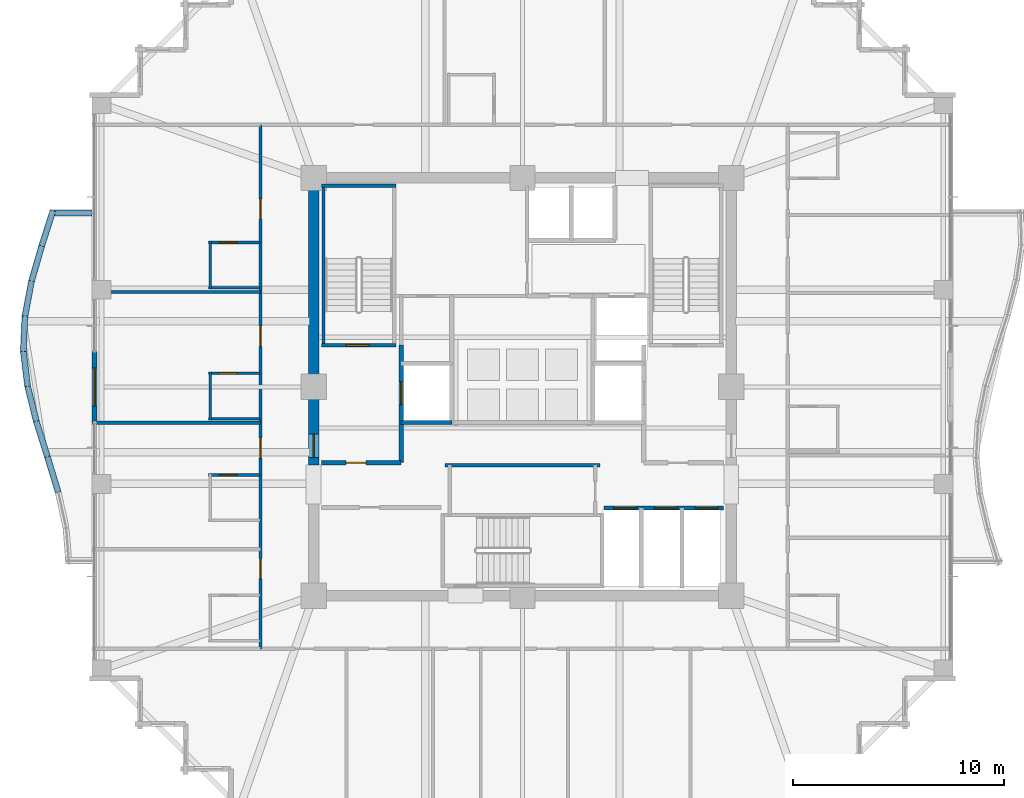
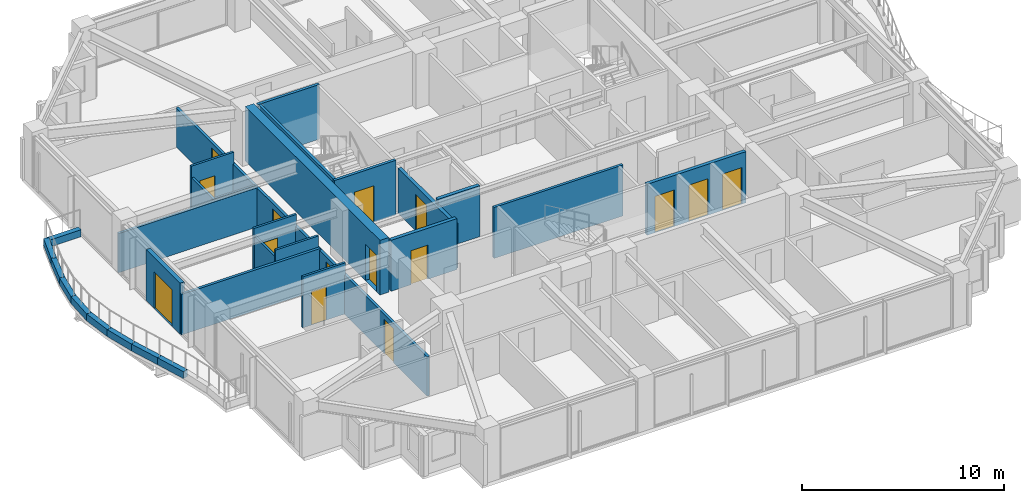
# One storey, part 29 of 34: 29 walls, 15 doors, 15 openings.
"""IFC4 building model written with IfcOpenShell, lengths in metres."""

from ifc_helpers import new_model, si_unit, direction, frame, frame_2d, origin, place, context, subcontext, project, spatial, rectangle, extrude, material, layer, layer_set, type_object, element, fill, save


model = new_model("IFC4")

# Units and contexts
model_context = context("Model", 3, precision=1e-05, world=origin(), true_north=direction((0.0, 1.0)))
body_context = subcontext(model_context, "Body", "Model", "MODEL_VIEW")
ifc_project = project(units=[si_unit("LENGTHUNIT", "METRE"), si_unit("AREAUNIT", "SQUARE_METRE"), si_unit("VOLUMEUNIT", "CUBIC_METRE"), si_unit("PLANEANGLEUNIT", "RADIAN"), si_unit("MASSUNIT", "GRAM", prefix="KILO")], contexts=[model_context])

# Site, building, storey
site_placement = place(None, origin())
site = spatial("IfcSite", under=ifc_project, at=site_placement, CompositionType="ELEMENT")
building_placement = place(site_placement, origin())
building = spatial("IfcBuilding", under=site, at=building_placement, Name="Kolvaren Belvedere", CompositionType="ELEMENT")
storey_placement = place(building_placement, frame((0.0, 0.0, 189.89990234375)))
storey = spatial("IfcBuildingStorey", under=building, at=storey_placement, Name="L55", CompositionType="ELEMENT", Elevation=189.89990234375)

# Wall, opening, door
ifc_material_1 = material(Name="Concrete C50/60", Category="concrete")
ifc_layer_1 = layer(ifc_material_1, 0.5)
ifc_layer_set_1 = layer_set([ifc_layer_1], Name="Concrete C50/60")
wall_type_1 = type_object("IfcWallType", Name="CW-CORE-500", PredefinedType="SHEAR", material=ifc_layer_set_1)
wall_1_placement = place(storey_placement, frame((-9.89990234375, -3.699951171875, 0.0), z_axis=(0.0, 0.0, 1.0), x_axis=(0.0, 1.0, 0.0)))
wall_1 = element("IfcWall", 1, at=wall_1_placement, inside=storey, type_object=wall_type_1, Name="L55 West Core Shear Wall 2", PredefinedType="SHEAR", context=body_context, shape_type="SweptSolid", body=[
    extrude(rectangle(XDim=13.349853515625, YDim=0.5, at=frame_2d((6.6748046875, 0.0))), origin(), (0.0, 0.0, 1.0), 3.300048828125),
])
opening_1_placement = place(wall_1_placement, frame((0.35009765625, 0.0, 0.0)))
opening_1 = element("IfcOpeningElement", 2, at=opening_1_placement, cuts=wall_1, Name="Opening D-FD90", PredefinedType="OPENING", context=body_context, shape_type="SweptSolid", body=[
    extrude(rectangle(XDim=1.10009765625, YDim=2.199951171875, at=frame_2d((0.550048828125, 1.10009765625))), frame((0.0, 0.260009765625, 0.0), z_axis=(0.0, -1.0, 0.0), x_axis=(1.0, 0.0, 0.0)), (0.0, 0.0, 1.0), 0.52001953125),
])
ifc_material_2 = material(Name="Painted hollow stainless steel", Category="steel")
door_type_1 = type_object("IfcDoorType", Name="DR-FD90-1100", OperationType="NOTDEFINED", PredefinedType="DOOR", material=ifc_material_2)
door_1_placement = place(opening_1_placement, origin())
door_1 = element("IfcDoor", 3, at=door_1_placement, inside=storey, type_object=door_type_1, Name="L55 West Firefighting Lobby Fire Door", OperationType="SINGLE_SWING_LEFT", OverallHeight=2.199951171875, OverallWidth=1.10009765625, PredefinedType="DOOR", context=body_context, shape_type="SweptSolid", body=[
    extrude(rectangle(XDim=1.10009765625, YDim=2.199951171875, at=frame_2d((0.550048828125, 1.10009765625))), frame((0.0, 0.02490234375, 0.0), z_axis=(0.0, -1.0, 0.0), x_axis=(1.0, 0.0, 0.0)), (0.0, 0.0, 1.0), 0.050048828125),
])
fill(opening_1, door_1)

ifc_material_3 = material(Name="Concrete C50/60", Category="concrete")
ifc_layer_2 = layer(ifc_material_3, 0.159912109375)
ifc_layer_set_2 = layer_set([ifc_layer_2], Name="Concrete C50/60")
wall_type_2 = type_object("IfcWallType", Name="CW-STAIR-160", PredefinedType="SHEAR", material=ifc_layer_set_2)
wall_2_placement = place(storey_placement, frame((-9.52001953125, 1.969970703125, 0.0), z_axis=(0.0, 0.0, 1.0), x_axis=(1.0, 0.0, 0.0)))
wall_2 = element("IfcWall", 4, at=wall_2_placement, inside=storey, type_object=wall_type_2, Name="L55 Stair ST-1 South Shear Wall", PredefinedType="SHEAR", context=body_context, shape_type="SweptSolid", body=[
    extrude(rectangle(XDim=3.52001953125, YDim=0.159912109375, at=frame_2d((1.760009765625, 0.0))), origin(), (0.0, 0.0, 1.0), 3.300048828125),
])
opening_2_placement = place(wall_2_placement, frame((1.14990234375, 0.0, 0.0)))
opening_2 = element("IfcOpeningElement", 5, at=opening_2_placement, cuts=wall_2, Name="Opening D-FD90", PredefinedType="OPENING", context=body_context, shape_type="SweptSolid", body=[
    extrude(rectangle(XDim=1.10009765625, YDim=2.199951171875, at=frame_2d((0.550048828125, 1.10009765625))), frame((0.0, 0.08984375, 0.0), z_axis=(0.0, -1.0, 0.0), x_axis=(1.0, 0.0, 0.0)), (0.0, 0.0, 1.0), 0.179931640625),
])
door_2_placement = place(opening_2_placement, origin())
door_2 = element("IfcDoor", 6, at=door_2_placement, inside=storey, type_object=door_type_1, Name="L55 Stair ST-1 Fire Door", OperationType="SINGLE_SWING_LEFT", OverallHeight=2.199951171875, OverallWidth=1.10009765625, PredefinedType="DOOR", context=body_context, shape_type="SweptSolid", body=[
    extrude(rectangle(XDim=1.10009765625, YDim=2.199951171875, at=frame_2d((0.550048828125, 1.10009765625))), frame((0.0, 0.02490234375, 0.0), z_axis=(0.0, -1.0, 0.0), x_axis=(1.0, 0.0, 0.0)), (0.0, 0.0, 1.0), 0.050048828125),
])
fill(opening_2, door_2)

# Walls
wall_3_placement = place(storey_placement, frame((-9.52001953125, 9.530029296875, 0.0), z_axis=(0.0, 0.0, 1.0), x_axis=(1.0, 0.0, 0.0)))
element("IfcWall", 7, at=wall_3_placement, inside=storey, type_object=wall_type_2, Name="L55 Stair ST-1 North Shear Wall", PredefinedType="SHEAR", context=body_context, shape_type="SweptSolid", body=[
    extrude(rectangle(XDim=3.52001953125, YDim=0.159912109375, at=frame_2d((1.760009765625, 0.0))), origin(), (0.0, 0.0, 1.0), 3.300048828125),
])
wall_4_placement = place(storey_placement, frame((-9.429931640625, 1.969970703125, 0.0), z_axis=(0.0, 0.0, 1.0), x_axis=(0.0, 1.0, 0.0)))
element("IfcWall", 8, at=wall_4_placement, inside=storey, type_object=wall_type_2, Name="L55 Stair ST-1 West Shear Wall", PredefinedType="SHEAR", context=body_context, shape_type="SweptSolid", body=[
    extrude(rectangle(XDim=7.56005859375, YDim=0.159912109375, at=frame_2d((3.780029296875, 0.0))), origin(), (0.0, 0.0, 1.0), 3.300048828125),
])

# Wall, openings, doors
ifc_material_4 = material(Name="Gypsum fire-rated partition assembly", Category="gypsum")
ifc_layer_3 = layer(ifc_material_4, 0.14990234375)
ifc_layer_set_3 = layer_set([ifc_layer_3], Name="Gypsum fire-rated partition assembly")
wall_type_3 = type_object("IfcWallType", Name="WL-CORR-150", PredefinedType="PARTITIONING", material=ifc_layer_set_3)
wall_5_placement = place(storey_placement, frame((-12.419921875, -12.419921875, 0.0), z_axis=(0.0, 0.0, 1.0), x_axis=(0.0, 1.0, 0.0)))
wall_5 = element("IfcWall", 9, at=wall_5_placement, inside=storey, type_object=wall_type_3, Name="L55 West Corridor Wall", PredefinedType="PARTITIONING", context=body_context, shape_type="SweptSolid", body=[
    extrude(rectangle(XDim=24.83984375, YDim=0.14990234375, at=frame_2d((12.419921875, 0.0))), origin(), (0.0, 0.0, 1.0), 2.369140625),
])
opening_3_placement = place(wall_5_placement, frame((3.322509765625, 0.0, 0.0)))
opening_3 = element("IfcOpeningElement", 10, at=opening_3_placement, cuts=wall_5, Name="Opening D-FD60", PredefinedType="OPENING", context=body_context, shape_type="SweptSolid", body=[
    extrude(rectangle(XDim=0.949951171875, YDim=2.06005859375, at=frame_2d((0.47509765625, 1.030029296875))), frame((0.0, 0.0849609375, 0.0), z_axis=(0.0, -1.0, 0.0), x_axis=(1.0, 0.0, 0.0)), (0.0, 0.0, 1.0), 0.169921875),
])
opening_4_placement = place(wall_5_placement, frame((9.039306640625, 0.0, 0.0)))
opening_4 = element("IfcOpeningElement", 11, at=opening_4_placement, cuts=wall_5, Name="Opening D-FD60", PredefinedType="OPENING", context=body_context, shape_type="SweptSolid", body=[
    extrude(rectangle(XDim=0.949951171875, YDim=2.06005859375, at=frame_2d((0.47509765625, 1.030029296875))), frame((0.0, 0.0849609375, 0.0), z_axis=(0.0, -1.0, 0.0), x_axis=(1.0, 0.0, 0.0)), (0.0, 0.0, 1.0), 0.169921875),
])
opening_5_placement = place(wall_5_placement, frame((14.340576171875, 0.0, 0.0)))
opening_5 = element("IfcOpeningElement", 12, at=opening_5_placement, cuts=wall_5, Name="Opening D-FD60", PredefinedType="OPENING", context=body_context, shape_type="SweptSolid", body=[
    extrude(rectangle(XDim=0.949951171875, YDim=2.06005859375, at=frame_2d((0.47509765625, 1.030029296875))), frame((0.0, 0.0849609375, 0.0), z_axis=(0.0, -1.0, 0.0), x_axis=(1.0, 0.0, 0.0)), (0.0, 0.0, 1.0), 0.169921875),
])
opening_6_placement = place(wall_5_placement, frame((20.37548828125, 0.0, 0.0)))
opening_6 = element("IfcOpeningElement", 13, at=opening_6_placement, cuts=wall_5, Name="Opening D-FD60", PredefinedType="OPENING", context=body_context, shape_type="SweptSolid", body=[
    extrude(rectangle(XDim=0.949951171875, YDim=2.06005859375, at=frame_2d((0.47509765625, 1.030029296875))), frame((0.0, 0.0849609375, 0.0), z_axis=(0.0, -1.0, 0.0), x_axis=(1.0, 0.0, 0.0)), (0.0, 0.0, 1.0), 0.169921875),
])
ifc_material_5 = material(Name="Acoustic white-oak fire door leaf", Category="timber")
door_type_2 = type_object("IfcDoorType", Name="DR-FD60-950", OperationType="NOTDEFINED", PredefinedType="DOOR", material=ifc_material_5)
door_3_placement = place(opening_3_placement, origin())
door_3 = element("IfcDoor", 14, at=door_3_placement, inside=storey, type_object=door_type_2, Name="L55 Deluxe King Guest Room 5510 Entry Door", OperationType="SINGLE_SWING_RIGHT", OverallHeight=2.06005859375, OverallWidth=0.949951171875, PredefinedType="DOOR", context=body_context, shape_type="SweptSolid", body=[
    extrude(rectangle(XDim=0.949951171875, YDim=2.06005859375, at=frame_2d((0.47509765625, 1.030029296875))), frame((0.0, 0.02490234375, 0.0), z_axis=(0.0, -1.0, 0.0), x_axis=(1.0, 0.0, 0.0)), (0.0, 0.0, 1.0), 0.050048828125),
])
fill(opening_3, door_3)
door_4_placement = place(opening_4_placement, origin())
door_4 = element("IfcDoor", 15, at=door_4_placement, inside=storey, type_object=door_type_2, Name="L55 Twin Guest Room 5511 Entry Door", OperationType="SINGLE_SWING_RIGHT", OverallHeight=2.06005859375, OverallWidth=0.949951171875, PredefinedType="DOOR", context=body_context, shape_type="SweptSolid", body=[
    extrude(rectangle(XDim=0.949951171875, YDim=2.06005859375, at=frame_2d((0.47509765625, 1.030029296875))), frame((0.0, 0.02490234375, 0.0), z_axis=(0.0, -1.0, 0.0), x_axis=(1.0, 0.0, 0.0)), (0.0, 0.0, 1.0), 0.050048828125),
])
fill(opening_4, door_4)
door_5_placement = place(opening_5_placement, origin())
door_5 = element("IfcDoor", 16, at=door_5_placement, inside=storey, type_object=door_type_2, Name="L55 Deluxe King Guest Room 5512 Entry Door", OperationType="SINGLE_SWING_RIGHT", OverallHeight=2.06005859375, OverallWidth=0.949951171875, PredefinedType="DOOR", context=body_context, shape_type="SweptSolid", body=[
    extrude(rectangle(XDim=0.949951171875, YDim=2.06005859375, at=frame_2d((0.47509765625, 1.030029296875))), frame((0.0, 0.02490234375, 0.0), z_axis=(0.0, -1.0, 0.0), x_axis=(1.0, 0.0, 0.0)), (0.0, 0.0, 1.0), 0.050048828125),
])
fill(opening_5, door_5)
door_6_placement = place(opening_6_placement, origin())
door_6 = element("IfcDoor", 17, at=door_6_placement, inside=storey, type_object=door_type_2, Name="L55 Twin Guest Room 5513 Entry Door", OperationType="SINGLE_SWING_RIGHT", OverallHeight=2.06005859375, OverallWidth=0.949951171875, PredefinedType="DOOR", context=body_context, shape_type="SweptSolid", body=[
    extrude(rectangle(XDim=0.949951171875, YDim=2.06005859375, at=frame_2d((0.47509765625, 1.030029296875))), frame((0.0, 0.02490234375, 0.0), z_axis=(0.0, -1.0, 0.0), x_axis=(1.0, 0.0, 0.0)), (0.0, 0.0, 1.0), 0.050048828125),
])
fill(opening_6, door_6)

# Wall, opening, door
ifc_material_6 = material(Name="Insulated pale-metal facade wall assembly", Category="aluminium")
ifc_layer_4 = layer(ifc_material_6, 0.239990234375)
ifc_layer_set_4 = layer_set([ifc_layer_4], Name="Insulated pale-metal facade wall assembly")
wall_type_4 = type_object("IfcWallType", Name="WL-EXT-240", PredefinedType="STANDARD", material=ifc_layer_set_4)
wall_6_placement = place(storey_placement, frame((-20.280029296875, -1.679931640625, 0.0), z_axis=(0.0, 0.0, 1.0), x_axis=(0.0, 1.0, 0.0)))
wall_6 = element("IfcWall", 18, at=wall_6_placement, inside=storey, type_object=wall_type_4, Name="L55 West Terrace Portal Wall", PredefinedType="STANDARD", context=body_context, shape_type="SweptSolid", body=[
    extrude(rectangle(XDim=3.35986328125, YDim=0.239990234375, at=frame_2d((1.679931640625, 0.0))), origin(), (0.0, 0.0, 1.0), 3.080078125),
])
opening_7_placement = place(wall_6_placement, frame((0.780029296875, 0.0, 0.0)))
opening_7 = element("IfcOpeningElement", 19, at=opening_7_placement, cuts=wall_6, Name="Opening DB-1800", PredefinedType="OPENING", context=body_context, shape_type="SweptSolid", body=[
    extrude(rectangle(XDim=1.800048828125, YDim=2.199951171875, at=frame_2d((0.89990234375, 1.10009765625))), frame((0.0, 0.1298828125, 0.0), z_axis=(0.0, -1.0, 0.0), x_axis=(1.0, 0.0, 0.0)), (0.0, 0.0, 1.0), 0.260009765625),
])
ifc_material_7 = material(Name="Thermally broken pale-metal aluminium & low-iron glass", Category="aluminium")
door_type_3 = type_object("IfcDoorType", Name="DR-BAL-1800", OperationType="DOUBLE_DOOR_SLIDING", PredefinedType="DOOR", material=ifc_material_7)
door_7_placement = place(opening_7_placement, origin())
door_7 = element("IfcDoor", 20, at=door_7_placement, inside=storey, type_object=door_type_3, Name="L55 West Planted Terrace Sliding Door", OperationType="DOUBLE_DOOR_SLIDING", OverallHeight=2.199951171875, OverallWidth=1.800048828125, PredefinedType="DOOR", context=body_context, shape_type="SweptSolid", body=[
    extrude(rectangle(XDim=1.800048828125, YDim=2.199951171875, at=frame_2d((0.89990234375, 1.10009765625))), frame((0.0, 0.02490234375, 0.0), z_axis=(0.0, -1.0, 0.0), x_axis=(1.0, 0.0, 0.0)), (0.0, 0.0, 1.0), 0.050048828125),
])
fill(opening_7, door_7)

# Walls
ifc_material_8 = material(Name="Gypsum acoustic partition assembly", Category="gypsum")
ifc_layer_5 = layer(ifc_material_8, 0.14990234375)
ifc_layer_set_5 = layer_set([ifc_layer_5], Name="Gypsum acoustic partition assembly")
wall_type_5 = type_object("IfcWallType", Name="WL-PART-150", PredefinedType="PARTITIONING", material=ifc_layer_set_5)
wall_7_placement = place(storey_placement, frame((-3.679931640625, -3.719970703125, 0.0), z_axis=(0.0, 0.0, 1.0), x_axis=(1.0, 0.0, 0.0)))
element("IfcWall", 21, at=wall_7_placement, inside=storey, type_object=wall_type_5, Name="L55 South Core Service North Wall", PredefinedType="PARTITIONING", context=body_context, shape_type="SweptSolid", body=[
    extrude(rectangle(XDim=7.35986328125, YDim=0.14990234375, at=frame_2d((3.679931640625, 0.0))), origin(), (0.0, 0.0, 1.0), 3.080078125),
])
wall_8_placement = place(storey_placement, frame((-20.3798828125, -1.7041015625, 0.0), z_axis=(0.0, 0.0, 1.0), x_axis=(1.0, 0.0, 0.0)))
element("IfcWall", 22, at=wall_8_placement, inside=storey, type_object=wall_type_5, Name="L55 West Suite Demising Wall 2", PredefinedType="PARTITIONING", context=body_context, shape_type="SweptSolid", body=[
    extrude(rectangle(XDim=7.9599609375, YDim=0.14990234375, at=frame_2d((3.97998046875, 0.0))), origin(), (0.0, 0.0, 1.0), 2.453125),
])
wall_9_placement = place(storey_placement, frame((-20.3798828125, 4.49609375, 0.0), z_axis=(0.0, 0.0, 1.0), x_axis=(1.0, 0.0, 0.0)))
element("IfcWall", 23, at=wall_9_placement, inside=storey, type_object=wall_type_5, Name="L55 West Suite Demising Wall 3", PredefinedType="PARTITIONING", context=body_context, shape_type="SweptSolid", body=[
    extrude(rectangle(XDim=7.9599609375, YDim=0.14990234375, at=frame_2d((3.97998046875, 0.0))), origin(), (0.0, 0.0, 1.0), 2.369140625),
])
ifc_material_9 = material(Name="Precast concrete C40/50", Category="concrete")
ifc_layer_6 = layer(ifc_material_9, 0.300048828125)
ifc_layer_set_6 = layer_set([ifc_layer_6], Name="Precast concrete C40/50")
wall_type_6 = type_object("IfcWallType", Name="WL-PLANTER-300", PredefinedType="PARAPET", material=ifc_layer_set_6)
wall_10_placement = place(storey_placement, frame((-22.25390625, 8.351318359375, -0.039794921875), z_axis=(0.0, 0.0, 1.0), x_axis=(-0.304032153573, -0.952661770826, 0.0)))
element("IfcWall", 24, at=wall_10_placement, inside=storey, type_object=wall_type_6, Name="L55 Precast Structural Planter Wall BAL-W-1", PredefinedType="PARAPET", context=body_context, shape_type="SweptSolid", body=[
    extrude(rectangle(XDim=1.763427734375, YDim=0.280029296875, at=frame_2d((0.8818359375, 0.0))), origin(), (0.0, 0.0, 1.0), 0.419921875),
])
wall_11_placement = place(storey_placement, frame((-22.788818359375, 6.675537109375, -0.039794921875), z_axis=(0.0, 0.0, 1.0), x_axis=(-0.277817391164, -0.960633903819, 0.0)))
element("IfcWall", 25, at=wall_11_placement, inside=storey, type_object=wall_type_6, Name="L55 Precast Structural Planter Wall BAL-W-2", PredefinedType="PARAPET", context=body_context, shape_type="SweptSolid", body=[
    extrude(rectangle(XDim=1.748779296875, YDim=0.280029296875, at=frame_2d((0.87451171875, 0.0))), origin(), (0.0, 0.0, 1.0), 0.419921875),
])
wall_12_placement = place(storey_placement, frame((-23.271240234375, 5.010498046875, -0.039794921875), z_axis=(0.0, 0.0, 1.0), x_axis=(-0.184650661912, -0.982804219087, 0.0)))
element("IfcWall", 26, at=wall_12_placement, inside=storey, type_object=wall_type_6, Name="L55 Precast Structural Planter Wall BAL-W-3", PredefinedType="PARAPET", context=body_context, shape_type="SweptSolid", body=[
    extrude(rectangle(XDim=1.70947265625, YDim=0.280029296875, at=frame_2d((0.854736328125, 0.0))), origin(), (0.0, 0.0, 1.0), 0.419921875),
])
wall_13_placement = place(storey_placement, frame((-23.58447265625, 3.352783203125, -0.039794921875), z_axis=(0.0, 0.0, 1.0), x_axis=(-0.045005941428, -0.998986719249, 0.0)))
element("IfcWall", 27, at=wall_13_placement, inside=storey, type_object=wall_type_6, Name="L55 Precast Structural Planter Wall BAL-W-4", PredefinedType="PARAPET", context=body_context, shape_type="SweptSolid", body=[
    extrude(rectangle(XDim=1.681640625, YDim=0.280029296875, at=frame_2d((0.8408203125, 0.0))), origin(), (0.0, 0.0, 1.0), 0.419921875),
])
wall_14_placement = place(storey_placement, frame((-23.6611328125, 1.699462890625, -0.039794921875), z_axis=(0.0, 0.0, 1.0), x_axis=(0.121886315522, -0.99254406758, 0.0)))
element("IfcWall", 28, at=wall_14_placement, inside=storey, type_object=wall_type_6, Name="L55 Precast Structural Planter Wall BAL-W-5", PredefinedType="PARAPET", context=body_context, shape_type="SweptSolid", body=[
    extrude(rectangle(XDim=1.692626953125, YDim=0.280029296875, at=frame_2d((0.84619140625, 0.0))), origin(), (0.0, 0.0, 1.0), 0.419921875),
])
wall_15_placement = place(storey_placement, frame((-23.458251953125, 0.038330078125, -0.039794921875), z_axis=(0.0, 0.0, 1.0), x_axis=(0.239180748277, -0.970975061293, 0.0)))
element("IfcWall", 29, at=wall_15_placement, inside=storey, type_object=wall_type_6, Name="L55 Precast Structural Planter Wall BAL-W-6", PredefinedType="PARAPET", context=body_context, shape_type="SweptSolid", body=[
    extrude(rectangle(XDim=1.730224609375, YDim=0.280029296875, at=frame_2d((0.865234375, 0.0))), origin(), (0.0, 0.0, 1.0), 0.419921875),
])
wall_16_placement = place(storey_placement, frame((-23.047119140625, -1.632080078125, -0.039794921875), z_axis=(0.0, 0.0, 1.0), x_axis=(0.299624691176, -0.954057149461, 0.0)))
element("IfcWall", 30, at=wall_16_placement, inside=storey, type_object=wall_type_6, Name="L55 Precast Structural Planter Wall BAL-W-7", PredefinedType="PARAPET", context=body_context, shape_type="SweptSolid", body=[
    extrude(rectangle(XDim=1.7607421875, YDim=0.280029296875, at=frame_2d((0.88037109375, 0.0))), origin(), (0.0, 0.0, 1.0), 0.419921875),
])
wall_17_placement = place(storey_placement, frame((-22.51904296875, -3.3134765625, -0.039794921875), z_axis=(0.0, 0.0, 1.0), x_axis=(0.290879426191, -0.956759718748, 0.0)))
element("IfcWall", 31, at=wall_17_placement, inside=storey, type_object=wall_type_6, Name="L55 Precast Structural Planter Wall BAL-W-8", PredefinedType="PARAPET", context=body_context, shape_type="SweptSolid", body=[
    extrude(rectangle(XDim=1.755859375, YDim=0.280029296875, at=frame_2d((0.8779296875, 0.0))), origin(), (0.0, 0.0, 1.0), 0.419921875),
])
wall_18_placement = place(storey_placement, frame((-20.39990234375, 8.239990234375, -0.039794921875), z_axis=(0.0, 0.0, 1.0), x_axis=(-1.0, 0.0, 0.0)))
element("IfcWall", 32, at=wall_18_placement, inside=storey, type_object=wall_type_6, Name="L55 Precast Structural Planter Wall BAL-W-22", PredefinedType="PARAPET", context=body_context, shape_type="SweptSolid", body=[
    extrude(rectangle(XDim=2.00634765625, YDim=0.280029296875, at=frame_2d((1.003173828125, 0.0))), origin(), (0.0, 0.0, 1.0), 0.419921875),
])

# Wall, opening, door
ifc_material_10 = material(Name="Concrete C50/60", Category="concrete")
ifc_layer_7 = layer(ifc_material_10, 0.199951171875)
ifc_layer_set_7 = layer_set([ifc_layer_7], Name="Concrete C50/60")
wall_type_7 = type_object("IfcWallType", Name="WL-SHAFT-200", PredefinedType="SOLIDWALL", material=ifc_layer_set_7)
wall_19_placement = place(storey_placement, frame((-9.52001953125, -3.60009765625, 0.0), z_axis=(0.0, 0.0, 1.0), x_axis=(1.0, 0.0, 0.0)))
wall_19 = element("IfcWall", 33, at=wall_19_placement, inside=storey, type_object=wall_type_7, Name="L55 West FSAE Lobby South Wall", PredefinedType="SOLIDWALL", context=body_context, shape_type="SweptSolid", body=[
    extrude(rectangle(XDim=3.77001953125, YDim=0.199951171875, at=frame_2d((1.885009765625, 0.0))), origin(), (0.0, 0.0, 1.0), 3.080078125),
])
opening_8_placement = place(wall_19_placement, frame((1.14990234375, 0.0, 0.0)))
opening_8 = element("IfcOpeningElement", 34, at=opening_8_placement, cuts=wall_19, Name="Opening D-FD60", PredefinedType="OPENING", context=body_context, shape_type="SweptSolid", body=[
    extrude(rectangle(XDim=0.949951171875, YDim=2.06005859375, at=frame_2d((0.47509765625, 1.030029296875))), frame((0.0, 0.10986328125, 0.0), z_axis=(0.0, -1.0, 0.0), x_axis=(1.0, 0.0, 0.0)), (0.0, 0.0, 1.0), 0.219970703125),
])
door_8_placement = place(opening_8_placement, origin())
door_8 = element("IfcDoor", 35, at=door_8_placement, inside=storey, type_object=door_type_2, Name="L55 SW Lobby Fire Door", OperationType="SINGLE_SWING_LEFT", OverallHeight=2.06005859375, OverallWidth=0.949951171875, PredefinedType="DOOR", context=body_context, shape_type="SweptSolid", body=[
    extrude(rectangle(XDim=0.949951171875, YDim=2.06005859375, at=frame_2d((0.47509765625, 1.030029296875))), frame((0.0, 0.02490234375, 0.0), z_axis=(0.0, -1.0, 0.0), x_axis=(1.0, 0.0, 0.0)), (0.0, 0.0, 1.0), 0.050048828125),
])
fill(opening_8, door_8)

wall_20_placement = place(storey_placement, frame((-5.75, -3.60009765625, 0.0), z_axis=(0.0, 0.0, 1.0), x_axis=(0.0, 1.0, 0.0)))
wall_20 = element("IfcWall", 36, at=wall_20_placement, inside=storey, type_object=wall_type_7, Name="L55 FSAE FS1 Landing Wall", PredefinedType="SOLIDWALL", context=body_context, shape_type="SweptSolid", body=[
    extrude(rectangle(XDim=5.570068359375, YDim=0.199951171875, at=frame_2d((2.78515625, 0.0))), origin(), (0.0, 0.0, 1.0), 2.715087890625),
])
opening_9_placement = place(wall_20_placement, frame((2.75, 0.0, 0.0)))
opening_9 = element("IfcOpeningElement", 37, at=opening_9_placement, cuts=wall_20, Name="Opening LD-11", PredefinedType="OPENING", context=body_context, shape_type="SweptSolid", body=[
    extrude(rectangle(XDim=1.10009765625, YDim=2.199951171875, at=frame_2d((0.550048828125, 1.10009765625))), frame((0.0, 0.10986328125, 0.0), z_axis=(0.0, -1.0, 0.0), x_axis=(1.0, 0.0, 0.0)), (0.0, 0.0, 1.0), 0.219970703125),
])
ifc_material_11 = material(Name="Brushed stainless steel", Category="steel")
door_type_4 = type_object("IfcDoorType", Name="DR-LIFT-1100", OperationType="DOUBLE_DOOR_SLIDING", PredefinedType="DOOR", material=ifc_material_11)
door_9_placement = place(opening_9_placement, origin())
door_9 = element("IfcDoor", 38, at=door_9_placement, inside=storey, type_object=door_type_4, Name="L55 Firefighting Lift FS1 Landing Door", OperationType="DOUBLE_DOOR_SLIDING", OverallHeight=2.199951171875, OverallWidth=1.10009765625, PredefinedType="DOOR", context=body_context, shape_type="SweptSolid", body=[
    extrude(rectangle(XDim=1.10009765625, YDim=2.199951171875, at=frame_2d((0.550048828125, 1.10009765625))), frame((0.0, 0.02490234375, 0.0), z_axis=(0.0, -1.0, 0.0), x_axis=(1.0, 0.0, 0.0)), (0.0, 0.0, 1.0), 0.050048828125),
])
fill(opening_9, door_9)

# Wall
wall_21_placement = place(storey_placement, frame((-5.75, -1.699951171875, 0.0), z_axis=(0.0, 0.0, 1.0), x_axis=(1.0, 0.0, 0.0)))
element("IfcWall", 39, at=wall_21_placement, inside=storey, type_object=wall_type_7, Name="L55 FSAE FS1 South Wall", PredefinedType="SOLIDWALL", context=body_context, shape_type="SweptSolid", body=[
    extrude(rectangle(XDim=2.39990234375, YDim=0.199951171875, at=frame_2d((1.199951171875, 0.0))), origin(), (0.0, 0.0, 1.0), 3.080078125),
])

# Wall, openings, doors
wall_22_placement = place(storey_placement, frame((3.860107421875, -5.75, 0.0), z_axis=(0.0, 0.0, 1.0), x_axis=(1.0, 0.0, 0.0)))
wall_22 = element("IfcWall", 40, at=wall_22_placement, inside=storey, type_object=wall_type_7, Name="L55 High-Rise Lift Bank Front Wall", PredefinedType="SOLIDWALL", context=body_context, shape_type="SweptSolid", body=[
    extrude(rectangle(XDim=5.659912109375, YDim=0.199951171875, at=frame_2d((2.830078125, 0.0))), origin(), (0.0, 0.0, 1.0), 3.080078125),
])
opening_10_placement = place(wall_22_placement, frame((0.4599609375, 0.0, 0.0)))
opening_10 = element("IfcOpeningElement", 41, at=opening_10_placement, cuts=wall_22, Name="Opening LD-11", PredefinedType="OPENING", context=body_context, shape_type="SweptSolid", body=[
    extrude(rectangle(XDim=1.10009765625, YDim=2.199951171875, at=frame_2d((0.550048828125, 1.10009765625))), frame((0.0, 0.10986328125, 0.0), z_axis=(0.0, -1.0, 0.0), x_axis=(1.0, 0.0, 0.0)), (0.0, 0.0, 1.0), 0.219970703125),
])
opening_11_placement = place(wall_22_placement, frame((2.389892578125, 0.0, 0.0)))
opening_11 = element("IfcOpeningElement", 42, at=opening_11_placement, cuts=wall_22, Name="Opening LD-11", PredefinedType="OPENING", context=body_context, shape_type="SweptSolid", body=[
    extrude(rectangle(XDim=1.10009765625, YDim=2.199951171875, at=frame_2d((0.550048828125, 1.10009765625))), frame((0.0, 0.10986328125, 0.0), z_axis=(0.0, -1.0, 0.0), x_axis=(1.0, 0.0, 0.0)), (0.0, 0.0, 1.0), 0.219970703125),
])
opening_12_placement = place(wall_22_placement, frame((4.320068359375, 0.0, 0.0)))
opening_12 = element("IfcOpeningElement", 43, at=opening_12_placement, cuts=wall_22, Name="Opening LD-11", PredefinedType="OPENING", context=body_context, shape_type="SweptSolid", body=[
    extrude(rectangle(XDim=1.10009765625, YDim=2.199951171875, at=frame_2d((0.550048828125, 1.10009765625))), frame((0.0, 0.10986328125, 0.0), z_axis=(0.0, -1.0, 0.0), x_axis=(1.0, 0.0, 0.0)), (0.0, 0.0, 1.0), 0.219970703125),
])
door_10_placement = place(opening_10_placement, origin())
door_10 = element("IfcDoor", 44, at=door_10_placement, inside=storey, type_object=door_type_4, Name="L55 Passenger Lift P7 Landing Door", OperationType="DOUBLE_DOOR_SLIDING", OverallHeight=2.199951171875, OverallWidth=1.10009765625, PredefinedType="DOOR", context=body_context, shape_type="SweptSolid", body=[
    extrude(rectangle(XDim=1.10009765625, YDim=2.199951171875, at=frame_2d((0.550048828125, 1.10009765625))), frame((0.0, 0.02490234375, 0.0), z_axis=(0.0, -1.0, 0.0), x_axis=(1.0, 0.0, 0.0)), (0.0, 0.0, 1.0), 0.050048828125),
])
fill(opening_10, door_10)
door_11_placement = place(opening_11_placement, origin())
door_11 = element("IfcDoor", 45, at=door_11_placement, inside=storey, type_object=door_type_4, Name="L55 Passenger Lift P8 Landing Door", OperationType="DOUBLE_DOOR_SLIDING", OverallHeight=2.199951171875, OverallWidth=1.10009765625, PredefinedType="DOOR", context=body_context, shape_type="SweptSolid", body=[
    extrude(rectangle(XDim=1.10009765625, YDim=2.199951171875, at=frame_2d((0.550048828125, 1.10009765625))), frame((0.0, 0.02490234375, 0.0), z_axis=(0.0, -1.0, 0.0), x_axis=(1.0, 0.0, 0.0)), (0.0, 0.0, 1.0), 0.050048828125),
])
fill(opening_11, door_11)
door_12_placement = place(opening_12_placement, origin())
door_12 = element("IfcDoor", 46, at=door_12_placement, inside=storey, type_object=door_type_4, Name="L55 Passenger Lift P9 Landing Door", OperationType="DOUBLE_DOOR_SLIDING", OverallHeight=2.199951171875, OverallWidth=1.10009765625, PredefinedType="DOOR", context=body_context, shape_type="SweptSolid", body=[
    extrude(rectangle(XDim=1.10009765625, YDim=2.199951171875, at=frame_2d((0.550048828125, 1.10009765625))), frame((0.0, 0.02490234375, 0.0), z_axis=(0.0, -1.0, 0.0), x_axis=(1.0, 0.0, 0.0)), (0.0, 0.0, 1.0), 0.050048828125),
])
fill(opening_12, door_12)

# Wall, opening, door
ifc_material_12 = material(Name="Moisture-resistant gypsum partition", Category="gypsum")
ifc_layer_8 = layer(ifc_material_12, 0.125)
ifc_layer_set_8 = layer_set([ifc_layer_8], Name="Moisture-resistant gypsum partition")
wall_type_8 = type_object("IfcWallType", Name="WL-WET-125", PredefinedType="PARTITIONING", material=ifc_layer_set_8)
wall_23_placement = place(storey_placement, frame((-14.875, -4.18408203125, 0.0), z_axis=(0.0, 0.0, 1.0), x_axis=(1.0, 0.0, 0.0)))
wall_23 = element("IfcWall", 47, at=wall_23_placement, inside=storey, type_object=wall_type_8, Name="L55 Bathroom Partition PW-L55-BTH-11-N", PredefinedType="PARTITIONING", context=body_context, shape_type="SweptSolid", body=[
    extrude(rectangle(XDim=2.43994140625, YDim=0.125, at=frame_2d((1.219970703125, 0.0))), origin(), (0.0, 0.0, 1.0), 3.080078125),
])
opening_13_placement = place(wall_23_placement, frame((0.5, 0.0, 0.0)))
opening_13 = element("IfcOpeningElement", 48, at=opening_13_placement, cuts=wall_23, Name="Opening D-BTH85", PredefinedType="OPENING", context=body_context, shape_type="SweptSolid", body=[
    extrude(rectangle(XDim=0.85009765625, YDim=2.030029296875, at=frame_2d((0.425048828125, 1.01513671875))), frame((0.0, 0.072509765625, 0.0), z_axis=(0.0, -1.0, 0.0), x_axis=(1.0, 0.0, 0.0)), (0.0, 0.0, 1.0), 0.14501953125),
])
ifc_material_13 = material(Name="Moisture-sealed Pacific white oak", Category="timber")
door_type_5 = type_object("IfcDoorType", Name="DR-BATH-850", OperationType="NOTDEFINED", PredefinedType="DOOR", material=ifc_material_13)
door_13_placement = place(opening_13_placement, origin())
door_13 = element("IfcDoor", 49, at=door_13_placement, inside=storey, type_object=door_type_5, Name="L55 En-Suite Bathroom 5511 Door", OperationType="SINGLE_SWING_LEFT", OverallHeight=2.030029296875, OverallWidth=0.85009765625, PredefinedType="DOOR", context=body_context, shape_type="SweptSolid", body=[
    extrude(rectangle(XDim=0.85009765625, YDim=2.030029296875, at=frame_2d((0.425048828125, 1.01513671875))), frame((0.0, 0.02490234375, 0.0), z_axis=(0.0, -1.0, 0.0), x_axis=(1.0, 0.0, 0.0)), (0.0, 0.0, 1.0), 0.050048828125),
])
fill(opening_13, door_13)

wall_24_placement = place(storey_placement, frame((-14.875, 0.64111328125, 0.0), z_axis=(0.0, 0.0, 1.0), x_axis=(1.0, 0.0, 0.0)))
wall_24 = element("IfcWall", 50, at=wall_24_placement, inside=storey, type_object=wall_type_8, Name="L55 Bathroom Partition PW-L55-BTH-12-N", PredefinedType="PARTITIONING", context=body_context, shape_type="SweptSolid", body=[
    extrude(rectangle(XDim=2.43994140625, YDim=0.125, at=frame_2d((1.219970703125, 0.0))), origin(), (0.0, 0.0, 1.0), 3.080078125),
])
opening_14_placement = place(wall_24_placement, frame((0.5, 0.0, 0.0)))
opening_14 = element("IfcOpeningElement", 51, at=opening_14_placement, cuts=wall_24, Name="Opening D-BTH85", PredefinedType="OPENING", context=body_context, shape_type="SweptSolid", body=[
    extrude(rectangle(XDim=0.85009765625, YDim=2.030029296875, at=frame_2d((0.425048828125, 1.01513671875))), frame((0.0, 0.072509765625, 0.0), z_axis=(0.0, -1.0, 0.0), x_axis=(1.0, 0.0, 0.0)), (0.0, 0.0, 1.0), 0.14501953125),
])
door_14_placement = place(opening_14_placement, origin())
door_14 = element("IfcDoor", 52, at=door_14_placement, inside=storey, type_object=door_type_5, Name="L55 En-Suite Bathroom 5512 Door", OperationType="SINGLE_SWING_LEFT", OverallHeight=2.030029296875, OverallWidth=0.85009765625, PredefinedType="DOOR", context=body_context, shape_type="SweptSolid", body=[
    extrude(rectangle(XDim=0.85009765625, YDim=2.030029296875, at=frame_2d((0.425048828125, 1.01513671875))), frame((0.0, 0.02490234375, 0.0), z_axis=(0.0, -1.0, 0.0), x_axis=(1.0, 0.0, 0.0)), (0.0, 0.0, 1.0), 0.050048828125),
])
fill(opening_14, door_14)

# Walls
wall_25_placement = place(storey_placement, frame((-14.794921875, -1.569091796875, 0.0), z_axis=(0.0, 0.0, 1.0), x_axis=(0.0, 1.0, 0.0)))
element("IfcWall", 53, at=wall_25_placement, inside=storey, type_object=wall_type_8, Name="L55 Bathroom Partition PW-L55-BTH-12-V", PredefinedType="PARTITIONING", context=body_context, shape_type="SweptSolid", body=[
    extrude(rectangle(XDim=2.27001953125, YDim=0.125, at=frame_2d((1.135009765625, 0.0))), origin(), (0.0, 0.0, 1.0), 2.60498046875),
])
wall_26_placement = place(storey_placement, frame((-14.875, -1.509033203125, 0.0), z_axis=(0.0, 0.0, 1.0), x_axis=(1.0, 0.0, 0.0)))
element("IfcWall", 54, at=wall_26_placement, inside=storey, type_object=wall_type_8, Name="L55 Bathroom Partition PW-L55-BTH-12-S", PredefinedType="PARTITIONING", context=body_context, shape_type="SweptSolid", body=[
    extrude(rectangle(XDim=2.43994140625, YDim=0.125, at=frame_2d((1.219970703125, 0.0))), origin(), (0.0, 0.0, 1.0), 3.080078125),
])

# Wall, opening, door
wall_27_placement = place(storey_placement, frame((-14.875, 6.841064453125, 0.0), z_axis=(0.0, 0.0, 1.0), x_axis=(1.0, 0.0, 0.0)))
wall_27 = element("IfcWall", 55, at=wall_27_placement, inside=storey, type_object=wall_type_8, Name="L55 Bathroom Partition PW-L55-BTH-13-N", PredefinedType="PARTITIONING", context=body_context, shape_type="SweptSolid", body=[
    extrude(rectangle(XDim=2.43994140625, YDim=0.125, at=frame_2d((1.219970703125, 0.0))), origin(), (0.0, 0.0, 1.0), 3.080078125),
])
opening_15_placement = place(wall_27_placement, frame((0.5, 0.0, 0.0)))
opening_15 = element("IfcOpeningElement", 56, at=opening_15_placement, cuts=wall_27, Name="Opening D-BTH85", PredefinedType="OPENING", context=body_context, shape_type="SweptSolid", body=[
    extrude(rectangle(XDim=0.85009765625, YDim=2.030029296875, at=frame_2d((0.425048828125, 1.01513671875))), frame((0.0, 0.072509765625, 0.0), z_axis=(0.0, -1.0, 0.0), x_axis=(1.0, 0.0, 0.0)), (0.0, 0.0, 1.0), 0.14501953125),
])
door_15_placement = place(opening_15_placement, origin())
door_15 = element("IfcDoor", 57, at=door_15_placement, inside=storey, type_object=door_type_5, Name="L55 En-Suite Bathroom 5513 Door", OperationType="SINGLE_SWING_LEFT", OverallHeight=2.030029296875, OverallWidth=0.85009765625, PredefinedType="DOOR", context=body_context, shape_type="SweptSolid", body=[
    extrude(rectangle(XDim=0.85009765625, YDim=2.030029296875, at=frame_2d((0.425048828125, 1.01513671875))), frame((0.0, 0.02490234375, 0.0), z_axis=(0.0, -1.0, 0.0), x_axis=(1.0, 0.0, 0.0)), (0.0, 0.0, 1.0), 0.050048828125),
])
fill(opening_15, door_15)

# Walls
wall_28_placement = place(storey_placement, frame((-14.794921875, 4.631103515625, 0.0), z_axis=(0.0, 0.0, 1.0), x_axis=(0.0, 1.0, 0.0)))
element("IfcWall", 58, at=wall_28_placement, inside=storey, type_object=wall_type_8, Name="L55 Bathroom Partition PW-L55-BTH-13-V", PredefinedType="PARTITIONING", context=body_context, shape_type="SweptSolid", body=[
    extrude(rectangle(XDim=2.269775390625, YDim=0.125, at=frame_2d((1.134765625, 0.0))), origin(), (0.0, 0.0, 1.0), 2.369140625),
])
wall_29_placement = place(storey_placement, frame((-14.875, 4.69091796875, 0.0), z_axis=(0.0, 0.0, 1.0), x_axis=(1.0, 0.0, 0.0)))
element("IfcWall", 59, at=wall_29_placement, inside=storey, type_object=wall_type_8, Name="L55 Bathroom Partition PW-L55-BTH-13-S", PredefinedType="PARTITIONING", context=body_context, shape_type="SweptSolid", body=[
    extrude(rectangle(XDim=2.43994140625, YDim=0.125, at=frame_2d((1.219970703125, 0.0))), origin(), (0.0, 0.0, 1.0), 2.369140625),
])

save(model, "model.ifc")
